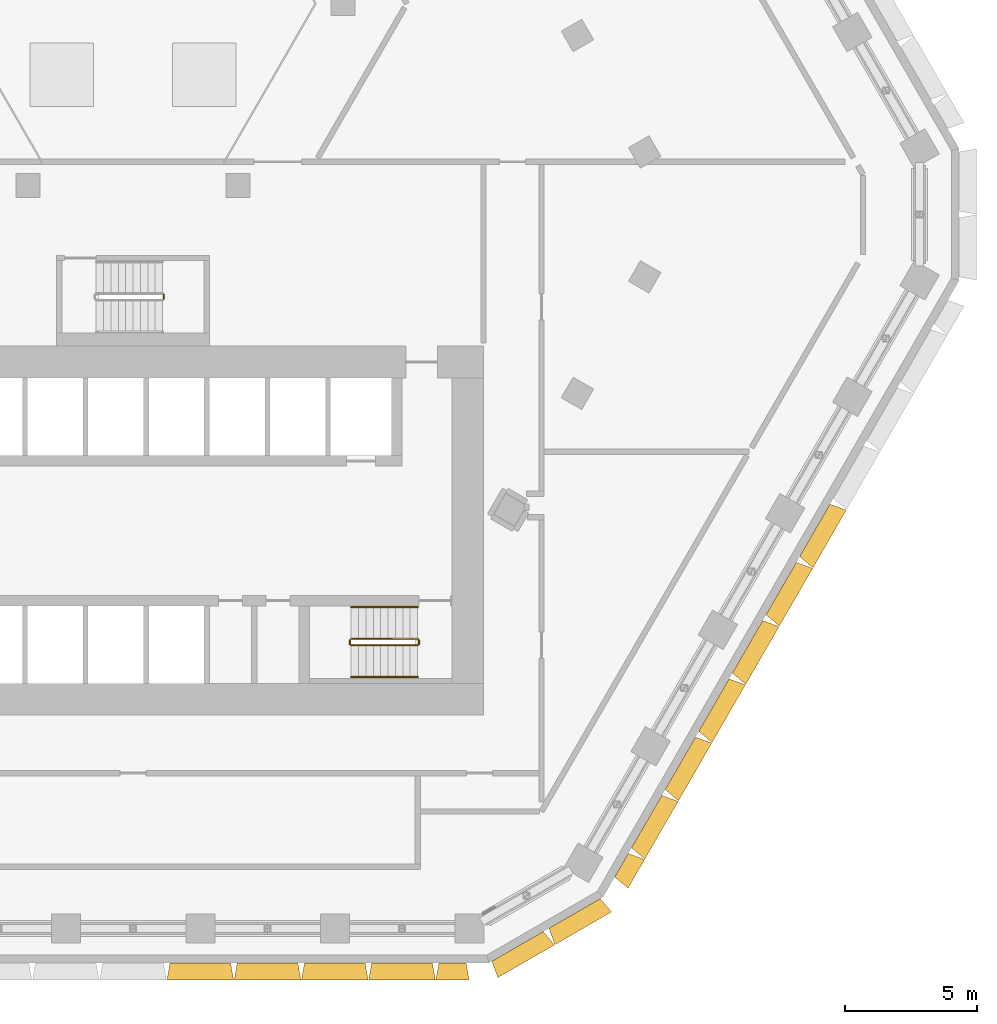
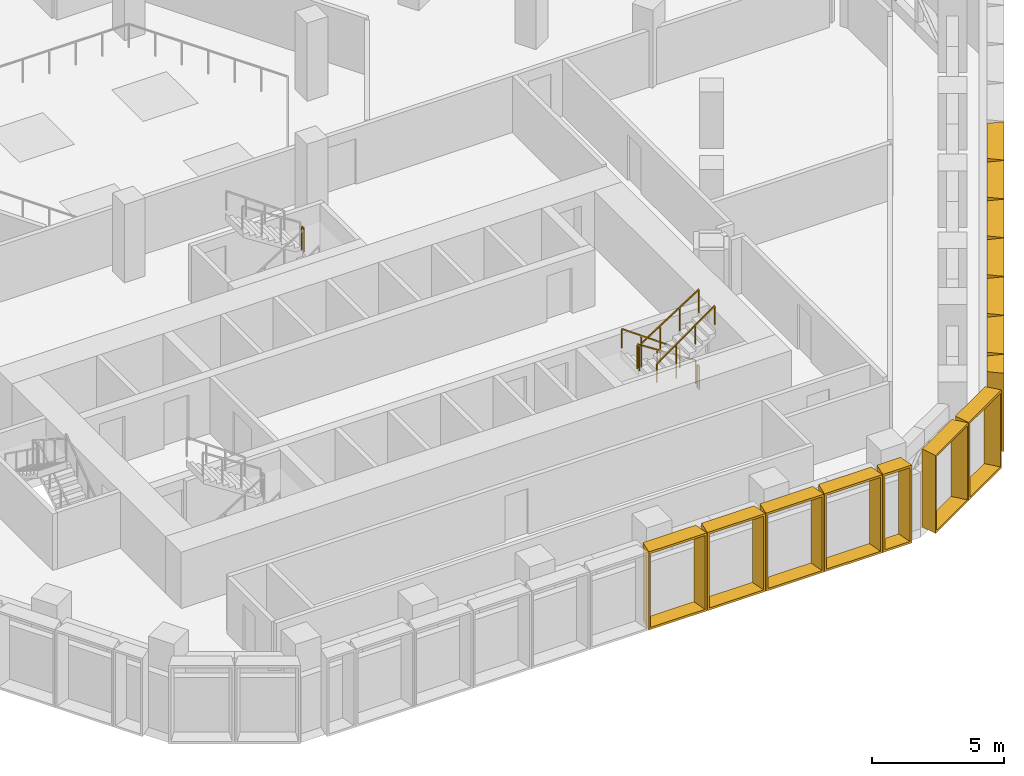
# One storey, part 21 of 22: 14 shading devices, 7 railings.
"""IFC4 building model written with IfcOpenShell, lengths in metres."""

from ifc_helpers import new_model, entity, si_unit, direction, frame, origin, origin_2d, place, context, subcontext, project, spatial, rectangle, extrude, source, transform, mapped, material, type_object, type_shapes, element, save


model = new_model("IFC4")

# Units and contexts
model_context = context("Model", 3, precision=1e-05, world=origin(), true_north=direction((0.0, 1.0)))
body_context = subcontext(model_context, "Body", "Model", "MODEL_VIEW")
ifc_project = project(units=[si_unit("LENGTHUNIT", "METRE"), si_unit("AREAUNIT", "SQUARE_METRE"), si_unit("VOLUMEUNIT", "CUBIC_METRE"), si_unit("PLANEANGLEUNIT", "RADIAN"), si_unit("MASSUNIT", "GRAM", prefix="KILO")], contexts=[model_context])

# Site, building, storey
site_placement = place(None, origin())
site = spatial("IfcSite", under=ifc_project, at=site_placement, CompositionType="ELEMENT")
building_placement = place(site_placement, origin())
building = spatial("IfcBuilding", under=site, at=building_placement, Name="Beryl Residences", CompositionType="ELEMENT")
storey_placement = place(building_placement, frame((0.0, 0.0, 62.39990234375)))
storey = spatial("IfcBuildingStorey", under=building, at=storey_placement, Name="L19", CompositionType="ELEMENT", Elevation=62.39990234375)

# Shading devices
ifc_material_1 = material(Name="Aluminium pale anodised", Category="aluminium")
shading_device_type_1 = type_object("IfcShadingDeviceType", Name="FR128-65A-H36 OUTER SKIN frame 650 mm deep, splay 10/10 deg, 1280 x 3600 mm cell", PredefinedType="USERDEFINED", material=ifc_material_1)
cartesian_point_1 = entity("IfcCartesianPoint", [-0.514892578125, 0.0])
cartesian_point_2 = entity("IfcCartesianPoint", [-0.433837890625, 0.10009765625])
cartesian_point_3 = entity("IfcCartesianPoint", [-0.629638671875, 0.0])
cartesian_point_4 = entity("IfcCartesianPoint", [-0.54833984375, 0.10009765625])
shared_shape_1 = source(origin(), body_context, "Body", "SweptSolid", [
    entity("IfcExtrudedAreaSolidTapered", entity("IfcArbitraryProfileDefWithVoids", "AREA", None, entity("IfcPolyline", [cartesian_point_1, entity("IfcCartesianPoint", [0.514892578125, 0.0]), entity("IfcCartesianPoint", [0.514892578125, 3.60009765625]), entity("IfcCartesianPoint", [-0.514892578125, 3.60009765625]), cartesian_point_1]), [entity("IfcPolyline", [cartesian_point_2, entity("IfcCartesianPoint", [0.433837890625, 0.10009765625]), entity("IfcCartesianPoint", [0.433837890625, 3.5]), entity("IfcCartesianPoint", [-0.433837890625, 3.5]), cartesian_point_2])]), entity("IfcAxis2Placement3D", entity("IfcCartesianPoint", [0.0, 0.0, 0.0]), entity("IfcDirection", [0.0, 1.0, 0.0]), entity("IfcDirection", [-1.0, 0.0, 0.0])), entity("IfcDirection", [0.0, 0.0, 1.0]), 0.64990234375, entity("IfcArbitraryProfileDefWithVoids", "AREA", None, entity("IfcPolyline", [cartesian_point_3, entity("IfcCartesianPoint", [0.629638671875, 0.0]), entity("IfcCartesianPoint", [0.629638671875, 3.60009765625]), entity("IfcCartesianPoint", [-0.629638671875, 3.60009765625]), cartesian_point_3]), [entity("IfcPolyline", [cartesian_point_4, entity("IfcCartesianPoint", [0.54833984375, 0.10009765625]), entity("IfcCartesianPoint", [0.54833984375, 3.5]), entity("IfcCartesianPoint", [-0.54833984375, 3.5]), cartesian_point_4])])),
])
type_shapes(shading_device_type_1, [shared_shape_1])
for number, where, z_axis, x_axis, name in (
    (1, (12.123046875, -28.39990234375, 0.0), (0.0, 0.0, 1.0), (-1.0, 0.0, 0.0), "FR128-65A-H36 frame L19 S 11"),
    (2, (18.534912109375, -24.697021484375, 0.0), (0.0, 0.0, 1.0), (-0.5, -0.866025403784, 0.0), "FR128-65A-H36 frame L19 SE 1"),
):
    element("IfcShadingDevice", number, at=place(storey_placement, frame(where, z_axis=z_axis, x_axis=x_axis)), inside=storey, type_object=shading_device_type_1, Name=name, ObjectType="OUTER SKIN", PredefinedType="USERDEFINED", context=body_context, shape_type="MappedRepresentation", body=[
        mapped(shared_shape_1, transform((0.0, 0.0, 0.0))),
    ])
ifc_material_2 = material(Name="Aluminium pale anodised", Category="aluminium")
shading_device_type_2 = type_object("IfcShadingDeviceType", Name="FR250-65A-H36 OUTER SKIN frame 650 mm deep, splay 10/10 deg, 2500 x 3600 mm cell", PredefinedType="USERDEFINED", material=ifc_material_2)
cartesian_point_5 = entity("IfcCartesianPoint", [-1.125, 0.0])
cartesian_point_6 = entity("IfcCartesianPoint", [-1.043701171875, 0.10009765625])
cartesian_point_7 = entity("IfcCartesianPoint", [-1.239501953125, 0.0])
cartesian_point_8 = entity("IfcCartesianPoint", [-1.158447265625, 0.10009765625])
shared_shape_2 = source(origin(), body_context, "Body", "SweptSolid", [
    entity("IfcExtrudedAreaSolidTapered", entity("IfcArbitraryProfileDefWithVoids", "AREA", None, entity("IfcPolyline", [cartesian_point_5, entity("IfcCartesianPoint", [1.125, 0.0]), entity("IfcCartesianPoint", [1.125, 3.60009765625]), entity("IfcCartesianPoint", [-1.125, 3.60009765625]), cartesian_point_5]), [entity("IfcPolyline", [cartesian_point_6, entity("IfcCartesianPoint", [1.043701171875, 0.10009765625]), entity("IfcCartesianPoint", [1.043701171875, 3.5]), entity("IfcCartesianPoint", [-1.043701171875, 3.5]), cartesian_point_6])]), entity("IfcAxis2Placement3D", entity("IfcCartesianPoint", [0.0, 0.0, 0.0]), entity("IfcDirection", [0.0, 1.0, 0.0]), entity("IfcDirection", [-1.0, 0.0, 0.0])), entity("IfcDirection", [0.0, 0.0, 1.0]), 0.64990234375, entity("IfcArbitraryProfileDefWithVoids", "AREA", None, entity("IfcPolyline", [cartesian_point_7, entity("IfcCartesianPoint", [1.239501953125, 0.0]), entity("IfcCartesianPoint", [1.239501953125, 3.60009765625]), entity("IfcCartesianPoint", [-1.239501953125, 3.60009765625]), cartesian_point_7]), [entity("IfcPolyline", [cartesian_point_8, entity("IfcCartesianPoint", [1.158447265625, 0.10009765625]), entity("IfcCartesianPoint", [1.158447265625, 3.5]), entity("IfcCartesianPoint", [-1.158447265625, 3.5]), cartesian_point_8])])),
])
type_shapes(shading_device_type_2, [shared_shape_2])
for number, where, z_axis, x_axis, name in (
    (3, (14.593017578125, -27.77490234375, 0.0), (0.0, 0.0, 1.0), (-0.866025403784, -0.5, 0.0), "FR250-65A-H36 frame L19 S-SE 1"),
    (4, (16.758056640625, -26.52490234375, 0.0), (0.0, 0.0, 1.0), (-0.866025403784, -0.5, 0.0), "FR250-65A-H36 frame L19 S-SE 2"),
):
    element("IfcShadingDevice", number, at=place(storey_placement, frame(where, z_axis=z_axis, x_axis=x_axis)), inside=storey, type_object=shading_device_type_2, Name=name, ObjectType="OUTER SKIN", PredefinedType="USERDEFINED", context=body_context, shape_type="MappedRepresentation", body=[
        mapped(shared_shape_2, transform((0.0, 0.0, 0.0))),
    ])
ifc_material_3 = material(Name="Aluminium pale anodised", Category="aluminium")
shading_device_type_3 = type_object("IfcShadingDeviceType", Name="FR255-65A-H36 OUTER SKIN frame 650 mm deep, splay 10/10 deg, 2550 x 3600 mm cell", PredefinedType="USERDEFINED", material=ifc_material_3)
cartesian_point_9 = entity("IfcCartesianPoint", [-1.14990234375, 0.0])
cartesian_point_10 = entity("IfcCartesianPoint", [-1.06884765625, 0.10009765625])
cartesian_point_11 = entity("IfcCartesianPoint", [-1.2646484375, 0.0])
cartesian_point_12 = entity("IfcCartesianPoint", [-1.183349609375, 0.10009765625])
shared_shape_3 = source(origin(), body_context, "Body", "SweptSolid", [
    entity("IfcExtrudedAreaSolidTapered", entity("IfcArbitraryProfileDefWithVoids", "AREA", None, entity("IfcPolyline", [cartesian_point_9, entity("IfcCartesianPoint", [1.14990234375, 0.0]), entity("IfcCartesianPoint", [1.14990234375, 3.60009765625]), entity("IfcCartesianPoint", [-1.14990234375, 3.60009765625]), cartesian_point_9]), [entity("IfcPolyline", [cartesian_point_10, entity("IfcCartesianPoint", [1.06884765625, 0.10009765625]), entity("IfcCartesianPoint", [1.06884765625, 3.5]), entity("IfcCartesianPoint", [-1.06884765625, 3.5]), cartesian_point_10])]), entity("IfcAxis2Placement3D", entity("IfcCartesianPoint", [0.0, 0.0, 0.0]), entity("IfcDirection", [0.0, 1.0, 0.0]), entity("IfcDirection", [-1.0, 0.0, 0.0])), entity("IfcDirection", [0.0, 0.0, 1.0]), 0.64990234375, entity("IfcArbitraryProfileDefWithVoids", "AREA", None, entity("IfcPolyline", [cartesian_point_11, entity("IfcCartesianPoint", [1.2646484375, 0.0]), entity("IfcCartesianPoint", [1.2646484375, 3.60009765625]), entity("IfcCartesianPoint", [-1.2646484375, 3.60009765625]), cartesian_point_11]), [entity("IfcPolyline", [cartesian_point_12, entity("IfcCartesianPoint", [1.183349609375, 0.10009765625]), entity("IfcCartesianPoint", [1.183349609375, 3.5]), entity("IfcCartesianPoint", [-1.183349609375, 3.5]), cartesian_point_12])])),
])
type_shapes(shading_device_type_3, [shared_shape_3])
for number, where, z_axis, x_axis, name in (
    (5, (2.552978515625, -28.39990234375, 0.0), (0.0, 0.0, 1.0), (-1.0, 0.0, 0.0), "FR255-65A-H36 frame L19 S 7"),
    (6, (5.10498046875, -28.39990234375, 0.0), (0.0, 0.0, 1.0), (-1.0, 0.0, 0.0), "FR255-65A-H36 frame L19 S 8"),
    (7, (7.656982421875, -28.39990234375, 0.0), (0.0, 0.0, 1.0), (-1.0, 0.0, 0.0), "FR255-65A-H36 frame L19 S 9"),
    (8, (10.208984375, -28.39990234375, 0.0), (0.0, 0.0, 1.0), (-1.0, 0.0, 0.0), "FR255-65A-H36 frame L19 S 10"),
    (9, (19.491943359375, -23.0400390625, 0.0), (0.0, 0.0, 1.0), (-0.5, -0.866025403784, 0.0), "FR255-65A-H36 frame L19 SE 2"),
    (10, (20.76806640625, -20.830078125, 0.0), (0.0, 0.0, 1.0), (-0.5, -0.866025403784, 0.0), "FR255-65A-H36 frame L19 SE 3"),
    (11, (22.0439453125, -18.618896484375, 0.0), (0.0, 0.0, 1.0), (-0.5, -0.866025403784, 0.0), "FR255-65A-H36 frame L19 SE 4"),
    (12, (23.320068359375, -16.408935546875, 0.0), (0.0, 0.0, 1.0), (-0.5, -0.866025403784, 0.0), "FR255-65A-H36 frame L19 SE 5"),
    (13, (24.594970703125, -14.198974609375, 0.0), (0.0, 0.0, 1.0), (-0.5, -0.866025403784, 0.0), "FR255-65A-H36 frame L19 SE 6"),
    (14, (25.87109375, -11.989013671875, 0.0), (0.0, 0.0, 1.0), (-0.5, -0.866025403784, 0.0), "FR255-65A-H36 frame L19 SE 7"),
):
    element("IfcShadingDevice", number, at=place(storey_placement, frame(where, z_axis=z_axis, x_axis=x_axis)), inside=storey, type_object=shading_device_type_3, Name=name, ObjectType="OUTER SKIN", PredefinedType="USERDEFINED", context=body_context, shape_type="MappedRepresentation", body=[
        mapped(shared_shape_3, transform((0.0, 0.0, 0.0))),
    ])

# Railings
ifc_material_4 = material(Name="Stainless steel balustrade with glass infill", Category="steel")
railing_type_1 = type_object("IfcRailingType", Name="SG1 stair guard 1100 mm", PredefinedType="GUARDRAIL", material=ifc_material_4)
railing_1_placement = place(storey_placement, frame((10.800048828125, -16.10009765625, 0.18017578125)))
element("IfcRailing", 15, at=railing_1_placement, inside=storey, type_object=railing_type_1, Name="L19 ST-3 stair guard 1", PredefinedType="GUARDRAIL", context=body_context, shape_type="SweptSolid", body=[
    extrude(rectangle(XDim=0.048095703125, YDim=0.048095703125, at=origin_2d()), frame((0.0, 0.0, 1.076171875), z_axis=(-0.841199657755, 0.0, 0.540724639528), x_axis=(0.0, -1.0, 0.0)), (0.0, 0.0, 1.0), 2.995849609375),
    extrude(rectangle(XDim=0.0419921875, YDim=0.0419921875, at=origin_2d()), origin(), (0.0, 0.0, 1.0), 1.052001953125),
    extrude(rectangle(XDim=0.0419921875, YDim=0.0419921875, at=origin_2d()), frame((-0.840087890625, 0.0, 0.5400390625)), (0.0, 0.0, 1.0), 1.052001953125),
    extrude(rectangle(XDim=0.0419921875, YDim=0.0419921875, at=origin_2d()), frame((-1.679931640625, 0.0, 1.079833984375)), (0.0, 0.0, 1.0), 1.052001953125),
    extrude(rectangle(XDim=0.0419921875, YDim=0.0419921875, at=origin_2d()), frame((-2.52001953125, 0.0, 1.619873046875)), (0.0, 0.0, 1.0), 1.052001953125),
])
railing_2_placement = place(storey_placement, frame((8.22998046875, -16.14990234375, 1.800048828125)))
element("IfcRailing", 16, at=railing_2_placement, inside=storey, type_object=railing_type_1, Name="L19 ST-3 stair guard 2", PredefinedType="GUARDRAIL", context=body_context, shape_type="SweptSolid", body=[
    extrude(rectangle(XDim=0.048095703125, YDim=0.048095703125, at=origin_2d()), frame((0.0, 0.0, 1.076171875), z_axis=(0.0, -1.0, 0.0), x_axis=(1.0, 0.0, 0.0)), (0.0, 0.0, 1.0), 0.150146484375),
    extrude(rectangle(XDim=0.0419921875, YDim=0.0419921875, at=origin_2d()), origin(), (0.0, 0.0, 1.0), 1.052001953125),
    extrude(rectangle(XDim=0.0419921875, YDim=0.0419921875, at=origin_2d()), frame((0.0, -0.150146484375, 0.0)), (0.0, 0.0, 1.0), 1.052001953125),
])
railing_3_placement = place(storey_placement, frame((8.280029296875, -16.35009765625, 1.97998046875)))
element("IfcRailing", 17, at=railing_3_placement, inside=storey, type_object=railing_type_1, Name="L19 ST-3 stair guard 3", PredefinedType="GUARDRAIL", context=body_context, shape_type="SweptSolid", body=[
    extrude(rectangle(XDim=0.048095703125, YDim=0.048095703125, at=origin_2d()), frame((0.0, 0.0, 1.076171875), z_axis=(0.841162588446, 0.0, 0.540782303519), x_axis=(0.0, 1.0, 0.0)), (0.0, 0.0, 1.0), 2.995849609375),
    extrude(rectangle(XDim=0.0419921875, YDim=0.0419921875, at=origin_2d()), origin(), (0.0, 0.0, 1.0), 1.052001953125),
    extrude(rectangle(XDim=0.0419921875, YDim=0.0419921875, at=origin_2d()), frame((0.840087890625, 0.0, 0.5400390625)), (0.0, 0.0, 1.0), 1.052001953125),
    extrude(rectangle(XDim=0.0419921875, YDim=0.0419921875, at=origin_2d()), frame((1.679931640625, 0.0, 1.080078125)), (0.0, 0.0, 1.0), 1.052001953125),
    extrude(rectangle(XDim=0.0419921875, YDim=0.0419921875, at=origin_2d()), frame((2.52001953125, 0.0, 1.6201171875)), (0.0, 0.0, 1.0), 1.052001953125),
])
railing_4_placement = place(storey_placement, frame((10.85009765625, -16.14990234375, 0.0)))
element("IfcRailing", 18, at=railing_4_placement, inside=storey, type_object=railing_type_1, Name="L19 ST-3 stair guard 4", PredefinedType="GUARDRAIL", context=body_context, shape_type="SweptSolid", body=[
    extrude(rectangle(XDim=0.048095703125, YDim=0.048095703125, at=origin_2d()), frame((0.0, 0.0, 1.076171875), z_axis=(0.0, -1.0, 0.0), x_axis=(1.0, 0.0, 0.0)), (0.0, 0.0, 1.0), 0.150146484375),
    extrude(rectangle(XDim=0.0419921875, YDim=0.0419921875, at=origin_2d()), origin(), (0.0, 0.0, 1.0), 1.052001953125),
    extrude(rectangle(XDim=0.0419921875, YDim=0.0419921875, at=origin_2d()), frame((0.0, -0.150146484375, 0.0)), (0.0, 0.0, 1.0), 1.052001953125),
])
railing_5_placement = place(storey_placement, frame((1.169921875, -3.199951171875, 1.800048828125)))
element("IfcRailing", 19, at=railing_5_placement, inside=storey, type_object=railing_type_1, Name="L19 ST-4 stair guard 2", PredefinedType="GUARDRAIL", context=body_context, shape_type="SweptSolid", body=[
    extrude(rectangle(XDim=0.048095703125, YDim=0.048095703125, at=origin_2d()), frame((0.0, 0.0, 1.076171875), z_axis=(0.0, 1.0, 0.0), x_axis=(-1.0, 0.0, 0.0)), (0.0, 0.0, 1.0), 0.14990234375),
    extrude(rectangle(XDim=0.0419921875, YDim=0.0419921875, at=origin_2d()), origin(), (0.0, 0.0, 1.0), 1.052001953125),
    extrude(rectangle(XDim=0.0419921875, YDim=0.0419921875, at=origin_2d()), frame((0.0, 0.14990234375, 0.0)), (0.0, 0.0, 1.0), 1.052001953125),
])
ifc_material_5 = material(Name="Stainless steel handrail", Category="steel")
railing_type_2 = type_object("IfcRailingType", Name="SRL1 stair handrail 900 mm", PredefinedType="HANDRAIL", material=ifc_material_5)
railing_6_placement = place(storey_placement, frame((10.800048828125, -14.89990234375, 0.18017578125)))
element("IfcRailing", 20, at=railing_6_placement, inside=storey, type_object=railing_type_2, Name="L19 ST-3 stair handrail 1", PredefinedType="HANDRAIL", context=body_context, shape_type="SweptSolid", body=[
    extrude(rectangle(XDim=0.048095703125, YDim=0.048095703125, at=origin_2d()), frame((0.0, 0.0, 0.8759765625), z_axis=(-0.813765431312, 0.0, 0.581193446971), x_axis=(0.0, -1.0, 0.0)), (0.0, 0.0, 1.0), 3.0966796875),
    extrude(rectangle(XDim=0.0419921875, YDim=0.0419921875, at=origin_2d()), origin(), (0.0, 0.0, 1.0), 0.851806640625),
    extrude(rectangle(XDim=0.0419921875, YDim=0.0419921875, at=origin_2d()), frame((-0.840087890625, 0.0, 0.599853515625)), (0.0, 0.0, 1.0), 0.851806640625),
    extrude(rectangle(XDim=0.0419921875, YDim=0.0419921875, at=origin_2d()), frame((-1.679931640625, 0.0, 1.199951171875)), (0.0, 0.0, 1.0), 0.851806640625),
    extrude(rectangle(XDim=0.0419921875, YDim=0.0419921875, at=origin_2d()), frame((-2.52001953125, 0.0, 1.7998046875)), (0.0, 0.0, 1.0), 0.851806640625),
])
railing_7_placement = place(storey_placement, frame((8.280029296875, -17.550048828125, 1.97998046875)))
element("IfcRailing", 21, at=railing_7_placement, inside=storey, type_object=railing_type_2, Name="L19 ST-3 stair handrail 2", PredefinedType="HANDRAIL", context=body_context, shape_type="SweptSolid", body=[
    extrude(rectangle(XDim=0.048095703125, YDim=0.048095703125, at=origin_2d()), frame((0.0, 0.0, 0.8759765625), z_axis=(0.813728144527, 0.0, 0.581245650998), x_axis=(0.0, 1.0, 0.0)), (0.0, 0.0, 1.0), 3.096923828125),
    extrude(rectangle(XDim=0.0419921875, YDim=0.0419921875, at=origin_2d()), origin(), (0.0, 0.0, 1.0), 0.851806640625),
    extrude(rectangle(XDim=0.0419921875, YDim=0.0419921875, at=origin_2d()), frame((0.840087890625, 0.0, 0.60009765625)), (0.0, 0.0, 1.0), 0.851806640625),
    extrude(rectangle(XDim=0.0419921875, YDim=0.0419921875, at=origin_2d()), frame((1.679931640625, 0.0, 1.199951171875)), (0.0, 0.0, 1.0), 0.851806640625),
    extrude(rectangle(XDim=0.0419921875, YDim=0.0419921875, at=origin_2d()), frame((2.52001953125, 0.0, 1.800048828125)), (0.0, 0.0, 1.0), 0.851806640625),
])

save(model, "model.ifc")
